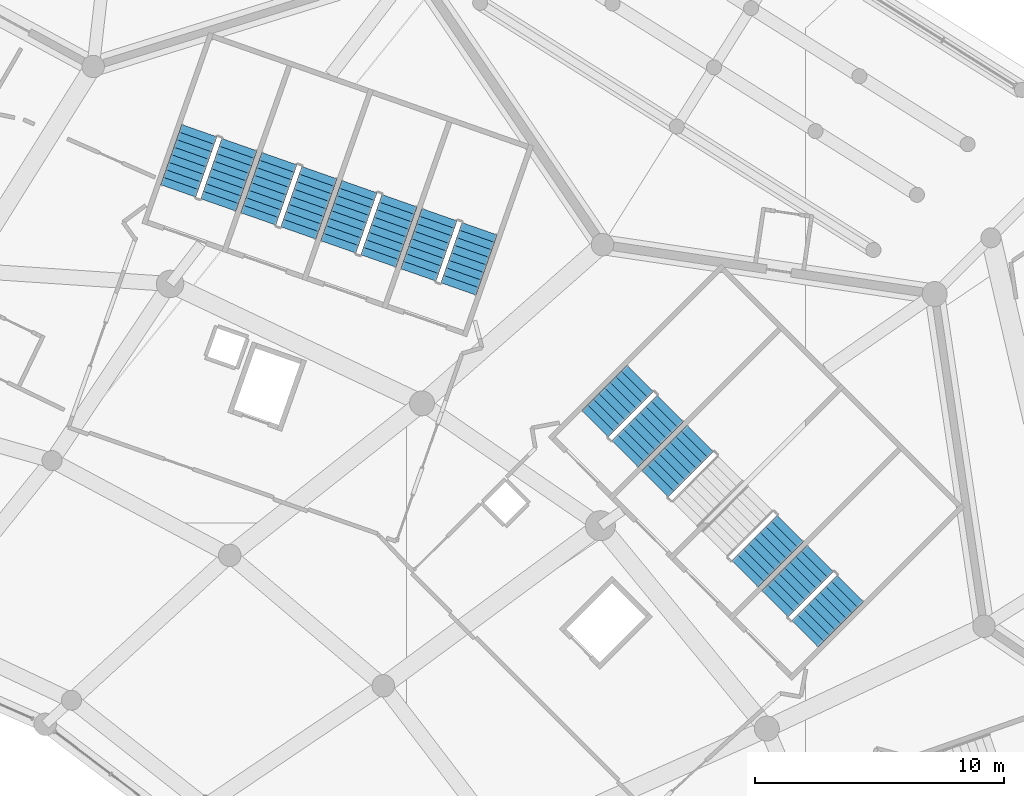
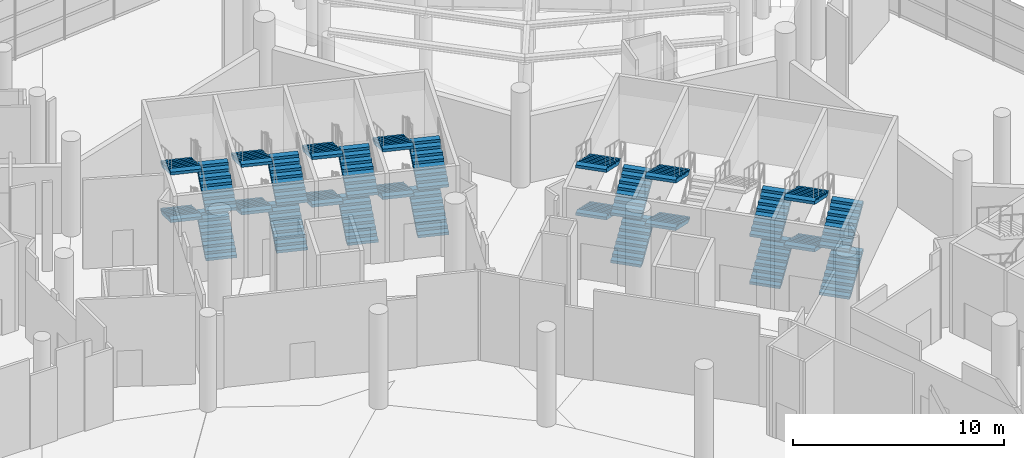
# One storey, part 220 of 271: 28 stair flights, 8 elements without a shape of their own.
"""IFC4 building model written with IfcOpenShell, lengths in metres."""

import ifcopenshell
import ifcopenshell.guid

model = None  # the IFC model being written
_history = None  # IfcOwnerHistory: only IFC2X3 demands one
_inside = {}  # id of a spatial element -> (the spatial element, [elements in it])
_under = {}  # id of a project, library or spatial element -> (it, [spatial elements below it])
_declared = {}  # id of a project -> (the project, [libraries it declares])
_typed = {}  # id of a type object -> (the type object, [elements of that type])
_made_of = {}  # id of a material, layer set ... -> (it, [elements and type objects made of it])


def new_model(schema):
    """Start an empty IFC model of exactly this schema.

    Asked for "IFC4X3", IfcOpenShell would pick the latest addendum, in which some entities
    have other attributes; the version numbers below select the first issue.
    IFC2X3 requires an IfcOwnerHistory on every rooted entity: one is made here for all.
    """
    global model, _history
    if schema == "IFC4X3":
        model = ifcopenshell.file(schema_version=(4, 3, 0, 0))
    else:
        model = ifcopenshell.file(schema=schema)
    _inside.clear()
    _under.clear()
    _declared.clear()
    _typed.clear()
    _made_of.clear()
    _history = None
    if model.schema == "IFC2X3":
        org = make("IfcOrganization", Name="unknown")
        user = make(
            "IfcPersonAndOrganization",
            ThePerson=make("IfcPerson", FamilyName="unknown"),
            TheOrganization=org,
        )
        app = make(
            "IfcApplication",
            ApplicationDeveloper=org,
            Version="unknown",
            ApplicationFullName="unknown",
            ApplicationIdentifier="unknown",
        )
        _history = make(
            "IfcOwnerHistory",
            OwningUser=user,
            OwningApplication=app,
            ChangeAction="ADDED",
            CreationDate=0,
        )
    return model


def make(cls, **values):
    """One entity of the class cls with the attributes given. An attribute that is None is left unset."""
    return model.create_entity(
        cls, **{name: value for name, value in values.items() if value is not None}
    )


def rooted(cls, **values):
    """An entity with a GlobalId (a new one), such as an element, a storey or a relation."""
    return make(cls, GlobalId=ifcopenshell.guid.new(), OwnerHistory=_history, **values)


def si_unit(unit_type, name, prefix=None):
    """IfcSIUnit, for example si_unit("LENGTHUNIT", "METRE", prefix="MILLI")."""
    return make("IfcSIUnit", UnitType=unit_type, Prefix=prefix, Name=name)


def assignment(units):
    """IfcUnitAssignment: the units of a project."""
    return None if units is None else make("IfcUnitAssignment", Units=units)


def point(xyz):
    """IfcCartesianPoint."""
    return None if xyz is None else make("IfcCartesianPoint", Coordinates=xyz)


def direction(xyz):
    """IfcDirection."""
    return None if xyz is None else make("IfcDirection", DirectionRatios=xyz)


def frame(location, z_axis=None, x_axis=None):
    """IfcAxis2Placement3D, a coordinate frame: its origin and axes. An axis left out is left unset."""
    return make(
        "IfcAxis2Placement3D",
        Location=point(location),
        Axis=direction(z_axis),
        RefDirection=direction(x_axis),
    )


def origin():
    """The frame at (0, 0, 0) with its axes left unset."""
    return frame((0.0, 0.0, 0.0))


def place(relative_to, where):
    """IfcLocalPlacement: puts the frame where relative to a parent placement (None: the world)."""
    return make(
        "IfcLocalPlacement", PlacementRelTo=relative_to, RelativePlacement=where
    )


def context(
    kind, dimensions, precision=None, world=None, true_north=None, identifier=None
):
    """IfcGeometricRepresentationContext, for example the 3D "Model" context."""
    return make(
        "IfcGeometricRepresentationContext",
        ContextIdentifier=identifier,
        ContextType=kind,
        CoordinateSpaceDimension=dimensions,
        Precision=precision,
        WorldCoordinateSystem=world,
        TrueNorth=true_north,
    )


def subcontext(parent, identifier, kind, view, scale=None):
    """IfcGeometricRepresentationSubContext, for example "Body" below "Model"."""
    return make(
        "IfcGeometricRepresentationSubContext",
        ContextIdentifier=identifier,
        ContextType=kind,
        ParentContext=parent,
        TargetScale=scale,
        TargetView=view,
    )


def project(units=None, contexts=None):
    """IfcProject with its units and contexts."""
    return rooted(
        "IfcProject",
        Name="project",
        RepresentationContexts=contexts,
        UnitsInContext=assignment(units),
    )


def spatial(cls, under=None, at=None, **own):
    """A site, building, storey or space (cls), placed at a placement, below another one or the project."""
    s = rooted(cls, ObjectPlacement=at, **own)
    if under is not None:
        _under.setdefault(under.id(), (under, []))[1].append(s)
    return s


def polyline(points):
    """IfcPolyline through the points."""
    return make("IfcPolyline", Points=[point(p) for p in points])


def outline(outer, holes=None, kind="AREA"):
    """IfcArbitraryClosedProfileDef: a profile drawn as a closed curve; with holes, ...WithVoids."""
    if holes is None:
        return make("IfcArbitraryClosedProfileDef", ProfileType=kind, OuterCurve=outer)
    return make(
        "IfcArbitraryProfileDefWithVoids",
        ProfileType=kind,
        OuterCurve=outer,
        InnerCurves=holes,
    )


def extrude(swept, where, along, depth):
    """IfcExtrudedAreaSolid: the profile swept, set in the frame where, extruded along a direction by depth."""
    return make(
        "IfcExtrudedAreaSolid",
        SweptArea=swept,
        Position=where,
        ExtrudedDirection=direction(along),
        Depth=depth,
    )


def shape(context_of_items, identifier, shape_type, items):
    """IfcShapeRepresentation: the items that make up one representation, for example the "Body"."""
    return make(
        "IfcShapeRepresentation",
        ContextOfItems=context_of_items,
        RepresentationIdentifier=identifier,
        RepresentationType=shape_type,
        Items=items,
    )


def material(Name=None, Category=None):
    """IfcMaterial."""
    return make("IfcMaterial", Name=Name, Category=Category)


def made_of(thing, what):
    """Note that an element or type object is made of a material, layer set ...; save() writes the relation."""
    if what is not None:
        _made_of.setdefault(what.id(), (what, []))[1].append(thing)
    return thing


def type_object(cls, material=None, **own):
    """A type object (cls), such as IfcWallType, which elements share."""
    return made_of(rooted(cls, **own), material)


def element(
    cls,
    number,
    at=None,
    inside=None,
    cuts=None,
    type_object=None,
    material=None,
    context=None,
    identifier="Body",
    shape_type=None,
    held_by="IfcProductDefinitionShape",
    body=None,
    shapes=None,
    **own,
):
    """One element of the class cls, such as IfcWall. Its Tag is "e" and its number.

    at: its placement. inside: the storey or other place that contains it. cuts: it is an
    opening in that element (IfcRelVoidsElement). A single representation is given by context,
    identifier, shape_type and body (its items); several are given by shapes. held_by: the class
    of the entity that holds the representations. save() writes the other relations.
    """
    e = rooted(cls, Tag="e%d" % number, ObjectPlacement=at, **own)
    if body is not None:
        shapes = [shape(context, identifier, shape_type, body)]
    if shapes is not None:
        e.Representation = make(held_by, Representations=shapes)
    if inside is not None:
        _inside.setdefault(inside.id(), (inside, []))[1].append(e)
    if cuts is not None:
        rooted(
            "IfcRelVoidsElement", RelatingBuildingElement=cuts, RelatedOpeningElement=e
        )
    if type_object is not None:
        _typed.setdefault(type_object.id(), (type_object, []))[1].append(e)
    return made_of(e, material)


def aggregate(whole, parts):
    """IfcRelAggregates: a whole, such as a stair, and the parts it consists of."""
    return rooted("IfcRelAggregates", RelatingObject=whole, RelatedObjects=parts)


def save(model, path):
    """Write the relations noted so far, then the file.

    IfcRelAggregates (storeys below a building ...), IfcRelContainedInSpatialStructure (elements
    in a storey), IfcRelDefinesByType, IfcRelAssociatesMaterial and IfcRelDeclares: one each for
    every whole, place, type object, material and project.
    """
    for whole, parts in _under.values():
        aggregate(whole, parts)
    for where, things in _inside.values():
        rooted(
            "IfcRelContainedInSpatialStructure",
            RelatedElements=things,
            RelatingStructure=where,
        )
    for kind, things in _typed.values():
        rooted("IfcRelDefinesByType", RelatedObjects=things, RelatingType=kind)
    for what, things in _made_of.values():
        rooted("IfcRelAssociatesMaterial", RelatedObjects=things, RelatingMaterial=what)
    for by, libraries in _declared.values():
        rooted("IfcRelDeclares", RelatingContext=by, RelatedDefinitions=libraries)
    model.write(path)


model = new_model("IFC4")

# Units and contexts
model_context = context("Model", 3, precision=1e-05, world=origin(), true_north=direction((0.0, 1.0)))
body_context = subcontext(model_context, "Body", "Model", "MODEL_VIEW")
ifc_project = project(units=[si_unit("LENGTHUNIT", "METRE"), si_unit("AREAUNIT", "SQUARE_METRE"), si_unit("VOLUMEUNIT", "CUBIC_METRE"), si_unit("PLANEANGLEUNIT", "RADIAN"), si_unit("MASSUNIT", "GRAM", prefix="KILO")], contexts=[model_context])

# Site, building, storey
site_placement = place(None, origin())
site = spatial("IfcSite", under=ifc_project, at=site_placement, CompositionType="ELEMENT")
building_placement = place(site_placement, origin())
building = spatial("IfcBuilding", under=site, at=building_placement, Name="Meseta Stadium", CompositionType="ELEMENT")
storey_placement = place(building_placement, frame((0.0, 0.0, 6.5)))
storey = spatial("IfcBuildingStorey", under=building, at=storey_placement, Name="L01", CompositionType="ELEMENT", Elevation=6.5)

# Stair, stair flights
ifc_material_1 = material(Name="Concrete C40/50", Category="concrete")
stair_type = type_object("IfcStairType", Name="Exit stair 4 flights 153 mm risers", PredefinedType="HALF_TURN_STAIR", material=ifc_material_1)
stair_1_placement = place(storey_placement, origin())
stair_1 = element("IfcStair", 1, at=stair_1_placement, inside=storey, type_object=stair_type, Name="ST25 L01", PredefinedType="HALF_TURN_STAIR")
ifc_material_2 = material(Name="Concrete C40/50", Category="concrete")
stair_flight_type = type_object("IfcStairFlightType", Name="Exit stair flight 153 mm risers, 4 per storey", PredefinedType="STRAIGHT", material=ifc_material_2)
stair_flight_1_placement = place(storey_placement, frame((79.9765625, 75.56201171875, 0.0), z_axis=(0.0, 0.0, 1.0), x_axis=(0.707106781187, 0.707106781187, 0.0)))
stair_flight_1 = element("IfcStairFlight", 2, at=stair_flight_1_placement, type_object=stair_flight_type, Name="ST25 L01 flight 1", NumberOfRisers=9, NumberOfTreads=8, PredefinedType="STRAIGHT", RiserHeight=0.152777778, TreadLength=0.32, context=body_context, shape_type="SweptSolid", body=[
    extrude(outline(polyline([(0.0, 0.0), (0.0, 0.15283203125), (0.320068359375, 0.15283203125), (0.320068359375, 0.3056640625), (0.639892578125, 0.3056640625), (0.639892578125, 0.458251953125), (0.9599609375, 0.458251953125), (0.9599609375, 0.611083984375), (1.280029296875, 0.611083984375), (1.280029296875, 0.763916015625), (1.60009765625, 0.763916015625), (1.60009765625, 0.916748046875), (1.919921875, 0.916748046875), (1.919921875, 1.0693359375), (2.239990234375, 1.0693359375), (2.239990234375, 1.22216796875), (2.56005859375, 1.22216796875), (2.56005859375, 1.05615234375), (0.347900390625, 0.0), (0.0, 0.0)])), frame((0.0, 0.75, 0.0), z_axis=(0.0, -1.0, 0.0), x_axis=(1.0, 0.0, 0.0)), (0.0, 0.0, 1.0), 1.5),
])
stair_flight_2_placement = place(storey_placement, frame((80.58447265625, 78.57421875, 1.375), z_axis=(0.0, 0.0, 1.0), x_axis=(-0.707106781187, -0.707106781187, 0.0)))
stair_flight_2 = element("IfcStairFlight", 3, at=stair_flight_2_placement, type_object=stair_flight_type, Name="ST25 L01 flight 2", NumberOfRisers=9, NumberOfTreads=8, PredefinedType="STRAIGHT", RiserHeight=0.152777778, TreadLength=0.32, context=body_context, shape_type="SweptSolid", body=[
    extrude(outline(polyline([(0.0, 0.0), (0.0, 0.15283203125), (0.320068359375, 0.15283203125), (0.320068359375, 0.3056640625), (0.639892578125, 0.3056640625), (0.639892578125, 0.458251953125), (0.9599609375, 0.458251953125), (0.9599609375, 0.611083984375), (1.280029296875, 0.611083984375), (1.280029296875, 0.763916015625), (1.60009765625, 0.763916015625), (1.60009765625, 0.916748046875), (1.919921875, 0.916748046875), (1.919921875, 1.0693359375), (2.239990234375, 1.0693359375), (2.239990234375, 1.22216796875), (2.56005859375, 1.22216796875), (2.56005859375, 1.05615234375), (0.347900390625, 0.0), (0.0, 0.0)])), frame((0.0, 0.75, 0.0), z_axis=(0.0, -1.0, 0.0), x_axis=(1.0, 0.0, 0.0)), (0.0, 0.0, 1.0), 1.5),
])
stair_flight_3_placement = place(storey_placement, frame((79.9765625, 75.56201171875, 2.75), z_axis=(0.0, 0.0, 1.0), x_axis=(0.707106781187, 0.707106781187, 0.0)))
stair_flight_3 = element("IfcStairFlight", 4, at=stair_flight_3_placement, type_object=stair_flight_type, Name="ST25 L01 flight 3", NumberOfRisers=9, NumberOfTreads=8, PredefinedType="STRAIGHT", RiserHeight=0.152777778, TreadLength=0.32, context=body_context, shape_type="SweptSolid", body=[
    extrude(outline(polyline([(0.0, 0.0), (0.0, 0.15283203125), (0.320068359375, 0.15283203125), (0.320068359375, 0.3056640625), (0.639892578125, 0.3056640625), (0.639892578125, 0.458251953125), (0.9599609375, 0.458251953125), (0.9599609375, 0.611083984375), (1.280029296875, 0.611083984375), (1.280029296875, 0.763916015625), (1.60009765625, 0.763916015625), (1.60009765625, 0.916748046875), (1.919921875, 0.916748046875), (1.919921875, 1.0693359375), (2.239990234375, 1.0693359375), (2.239990234375, 1.22216796875), (2.56005859375, 1.22216796875), (2.56005859375, 1.05615234375), (0.347900390625, 0.0), (0.0, 0.0)])), frame((0.0, 0.75, 0.0), z_axis=(0.0, -1.0, 0.0), x_axis=(1.0, 0.0, 0.0)), (0.0, 0.0, 1.0), 1.5),
])
stair_flight_4_placement = place(storey_placement, frame((80.58447265625, 78.57421875, 4.125), z_axis=(0.0, 0.0, 1.0), x_axis=(-0.707106781187, -0.707106781187, 0.0)))
stair_flight_4 = element("IfcStairFlight", 5, at=stair_flight_4_placement, type_object=stair_flight_type, Name="ST25 L01 flight 4", NumberOfRisers=9, NumberOfTreads=8, PredefinedType="STRAIGHT", RiserHeight=0.152777778, TreadLength=0.32, context=body_context, shape_type="SweptSolid", body=[
    extrude(outline(polyline([(0.0, 0.0), (0.0, 0.15283203125), (0.320068359375, 0.15283203125), (0.320068359375, 0.3056640625), (0.639892578125, 0.3056640625), (0.639892578125, 0.458251953125), (0.9599609375, 0.458251953125), (0.9599609375, 0.611083984375), (1.280029296875, 0.611083984375), (1.280029296875, 0.763916015625), (1.60009765625, 0.763916015625), (1.60009765625, 0.916748046875), (1.919921875, 0.916748046875), (1.919921875, 1.0693359375), (2.239990234375, 1.0693359375), (2.239990234375, 1.22216796875), (2.56005859375, 1.22216796875), (2.56005859375, 1.05615234375), (0.347900390625, 0.0), (0.0, 0.0)])), frame((0.0, 0.75, 0.0), z_axis=(0.0, -1.0, 0.0), x_axis=(1.0, 0.0, 0.0)), (0.0, 0.0, 1.0), 1.5),
])
aggregate(stair_1, [stair_flight_1, stair_flight_2, stair_flight_3, stair_flight_4])

stair_2_placement = place(storey_placement, origin())
stair_2 = element("IfcStair", 6, at=stair_2_placement, inside=storey, type_object=stair_type, Name="ST26 L01", PredefinedType="HALF_TURN_STAIR")
stair_flight_5_placement = place(storey_placement, frame((77.572265625, 77.966064453125, 0.0), z_axis=(0.0, 0.0, 1.0), x_axis=(0.707106781187, 0.707106781187, 0.0)))
stair_flight_5 = element("IfcStairFlight", 7, at=stair_flight_5_placement, type_object=stair_flight_type, Name="ST26 L01 flight 1", NumberOfRisers=9, NumberOfTreads=8, PredefinedType="STRAIGHT", RiserHeight=0.152777778, TreadLength=0.32, context=body_context, shape_type="SweptSolid", body=[
    extrude(outline(polyline([(0.0, 0.0), (0.0, 0.15283203125), (0.320068359375, 0.15283203125), (0.320068359375, 0.3056640625), (0.639892578125, 0.3056640625), (0.639892578125, 0.458251953125), (0.9599609375, 0.458251953125), (0.9599609375, 0.611083984375), (1.280029296875, 0.611083984375), (1.280029296875, 0.763916015625), (1.60009765625, 0.763916015625), (1.60009765625, 0.916748046875), (1.919921875, 0.916748046875), (1.919921875, 1.0693359375), (2.239990234375, 1.0693359375), (2.239990234375, 1.22216796875), (2.56005859375, 1.22216796875), (2.56005859375, 1.05615234375), (0.347900390625, 0.0), (0.0, 0.0)])), frame((0.0, 0.75, 0.0), z_axis=(0.0, -1.0, 0.0), x_axis=(1.0, 0.0, 0.0)), (0.0, 0.0, 1.0), 1.5),
])
stair_flight_6_placement = place(storey_placement, frame((77.572265625, 77.966064453125, 2.75), z_axis=(0.0, 0.0, 1.0), x_axis=(0.707106781187, 0.707106781187, 0.0)))
stair_flight_6 = element("IfcStairFlight", 8, at=stair_flight_6_placement, type_object=stair_flight_type, Name="ST26 L01 flight 3", NumberOfRisers=9, NumberOfTreads=8, PredefinedType="STRAIGHT", RiserHeight=0.152777778, TreadLength=0.32, context=body_context, shape_type="SweptSolid", body=[
    extrude(outline(polyline([(0.0, 0.0), (0.0, 0.15283203125), (0.320068359375, 0.15283203125), (0.320068359375, 0.3056640625), (0.639892578125, 0.3056640625), (0.639892578125, 0.458251953125), (0.9599609375, 0.458251953125), (0.9599609375, 0.611083984375), (1.280029296875, 0.611083984375), (1.280029296875, 0.763916015625), (1.60009765625, 0.763916015625), (1.60009765625, 0.916748046875), (1.919921875, 0.916748046875), (1.919921875, 1.0693359375), (2.239990234375, 1.0693359375), (2.239990234375, 1.22216796875), (2.56005859375, 1.22216796875), (2.56005859375, 1.05615234375), (0.347900390625, 0.0), (0.0, 0.0)])), frame((0.0, 0.75, 0.0), z_axis=(0.0, -1.0, 0.0), x_axis=(1.0, 0.0, 0.0)), (0.0, 0.0, 1.0), 1.5),
])
aggregate(stair_2, [stair_flight_5, stair_flight_6])

stair_3_placement = place(storey_placement, origin())
stair_3 = element("IfcStair", 9, at=stair_3_placement, inside=storey, type_object=stair_type, Name="ST27 L01", PredefinedType="HALF_TURN_STAIR")
stair_flight_7_placement = place(storey_placement, frame((75.7763671875, 83.382568359375, 1.375), z_axis=(0.0, 0.0, 1.0), x_axis=(-0.707106781187, -0.707106781187, 0.0)))
stair_flight_7 = element("IfcStairFlight", 10, at=stair_flight_7_placement, type_object=stair_flight_type, Name="ST27 L01 flight 2", NumberOfRisers=9, NumberOfTreads=8, PredefinedType="STRAIGHT", RiserHeight=0.152777778, TreadLength=0.32, context=body_context, shape_type="SweptSolid", body=[
    extrude(outline(polyline([(0.0, 0.0), (0.0, 0.15283203125), (0.320068359375, 0.15283203125), (0.320068359375, 0.3056640625), (0.639892578125, 0.3056640625), (0.639892578125, 0.458251953125), (0.9599609375, 0.458251953125), (0.9599609375, 0.611083984375), (1.280029296875, 0.611083984375), (1.280029296875, 0.763916015625), (1.60009765625, 0.763916015625), (1.60009765625, 0.916748046875), (1.919921875, 0.916748046875), (1.919921875, 1.0693359375), (2.239990234375, 1.0693359375), (2.239990234375, 1.22216796875), (2.56005859375, 1.22216796875), (2.56005859375, 1.05615234375), (0.347900390625, 0.0), (0.0, 0.0)])), frame((0.0, 0.75, 0.0), z_axis=(0.0, -1.0, 0.0), x_axis=(1.0, 0.0, 0.0)), (0.0, 0.0, 1.0), 1.5),
])
stair_flight_8_placement = place(storey_placement, frame((75.7763671875, 83.382568359375, 4.125), z_axis=(0.0, 0.0, 1.0), x_axis=(-0.707106781187, -0.707106781187, 0.0)))
stair_flight_8 = element("IfcStairFlight", 11, at=stair_flight_8_placement, type_object=stair_flight_type, Name="ST27 L01 flight 4", NumberOfRisers=9, NumberOfTreads=8, PredefinedType="STRAIGHT", RiserHeight=0.152777778, TreadLength=0.32, context=body_context, shape_type="SweptSolid", body=[
    extrude(outline(polyline([(0.0, 0.0), (0.0, 0.15283203125), (0.320068359375, 0.15283203125), (0.320068359375, 0.3056640625), (0.639892578125, 0.3056640625), (0.639892578125, 0.458251953125), (0.9599609375, 0.458251953125), (0.9599609375, 0.611083984375), (1.280029296875, 0.611083984375), (1.280029296875, 0.763916015625), (1.60009765625, 0.763916015625), (1.60009765625, 0.916748046875), (1.919921875, 0.916748046875), (1.919921875, 1.0693359375), (2.239990234375, 1.0693359375), (2.239990234375, 1.22216796875), (2.56005859375, 1.22216796875), (2.56005859375, 1.05615234375), (0.347900390625, 0.0), (0.0, 0.0)])), frame((0.0, 0.75, 0.0), z_axis=(0.0, -1.0, 0.0), x_axis=(1.0, 0.0, 0.0)), (0.0, 0.0, 1.0), 1.5),
])
aggregate(stair_3, [stair_flight_7, stair_flight_8])

stair_4_placement = place(storey_placement, origin())
stair_4 = element("IfcStair", 12, at=stair_4_placement, inside=storey, type_object=stair_type, Name="ST28 L01", PredefinedType="HALF_TURN_STAIR")
stair_flight_9_placement = place(storey_placement, frame((72.763916015625, 82.7744140625, 0.0), z_axis=(0.0, 0.0, 1.0), x_axis=(0.707106781187, 0.707106781187, 0.0)))
stair_flight_9 = element("IfcStairFlight", 13, at=stair_flight_9_placement, type_object=stair_flight_type, Name="ST28 L01 flight 1", NumberOfRisers=9, NumberOfTreads=8, PredefinedType="STRAIGHT", RiserHeight=0.152777778, TreadLength=0.32, context=body_context, shape_type="SweptSolid", body=[
    extrude(outline(polyline([(0.0, 0.0), (0.0, 0.15283203125), (0.320068359375, 0.15283203125), (0.320068359375, 0.3056640625), (0.639892578125, 0.3056640625), (0.639892578125, 0.458251953125), (0.9599609375, 0.458251953125), (0.9599609375, 0.611083984375), (1.280029296875, 0.611083984375), (1.280029296875, 0.763916015625), (1.60009765625, 0.763916015625), (1.60009765625, 0.916748046875), (1.919921875, 0.916748046875), (1.919921875, 1.0693359375), (2.239990234375, 1.0693359375), (2.239990234375, 1.22216796875), (2.56005859375, 1.22216796875), (2.56005859375, 1.05615234375), (0.347900390625, 0.0), (0.0, 0.0)])), frame((0.0, 0.75, 0.0), z_axis=(0.0, -1.0, 0.0), x_axis=(1.0, 0.0, 0.0)), (0.0, 0.0, 1.0), 1.5),
])
stair_flight_10_placement = place(storey_placement, frame((73.3720703125, 85.78662109375, 1.375), z_axis=(0.0, 0.0, 1.0), x_axis=(-0.707106781187, -0.707106781187, 0.0)))
stair_flight_10 = element("IfcStairFlight", 14, at=stair_flight_10_placement, type_object=stair_flight_type, Name="ST28 L01 flight 2", NumberOfRisers=9, NumberOfTreads=8, PredefinedType="STRAIGHT", RiserHeight=0.152777778, TreadLength=0.32, context=body_context, shape_type="SweptSolid", body=[
    extrude(outline(polyline([(0.0, 0.0), (0.0, 0.15283203125), (0.320068359375, 0.15283203125), (0.320068359375, 0.3056640625), (0.639892578125, 0.3056640625), (0.639892578125, 0.458251953125), (0.9599609375, 0.458251953125), (0.9599609375, 0.611083984375), (1.280029296875, 0.611083984375), (1.280029296875, 0.763916015625), (1.60009765625, 0.763916015625), (1.60009765625, 0.916748046875), (1.919921875, 0.916748046875), (1.919921875, 1.0693359375), (2.239990234375, 1.0693359375), (2.239990234375, 1.22216796875), (2.56005859375, 1.22216796875), (2.56005859375, 1.05615234375), (0.347900390625, 0.0), (0.0, 0.0)])), frame((0.0, 0.75, 0.0), z_axis=(0.0, -1.0, 0.0), x_axis=(1.0, 0.0, 0.0)), (0.0, 0.0, 1.0), 1.5),
])
stair_flight_11_placement = place(storey_placement, frame((72.763916015625, 82.7744140625, 2.75), z_axis=(0.0, 0.0, 1.0), x_axis=(0.707106781187, 0.707106781187, 0.0)))
stair_flight_11 = element("IfcStairFlight", 15, at=stair_flight_11_placement, type_object=stair_flight_type, Name="ST28 L01 flight 3", NumberOfRisers=9, NumberOfTreads=8, PredefinedType="STRAIGHT", RiserHeight=0.152777778, TreadLength=0.32, context=body_context, shape_type="SweptSolid", body=[
    extrude(outline(polyline([(0.0, 0.0), (0.0, 0.15283203125), (0.320068359375, 0.15283203125), (0.320068359375, 0.3056640625), (0.639892578125, 0.3056640625), (0.639892578125, 0.458251953125), (0.9599609375, 0.458251953125), (0.9599609375, 0.611083984375), (1.280029296875, 0.611083984375), (1.280029296875, 0.763916015625), (1.60009765625, 0.763916015625), (1.60009765625, 0.916748046875), (1.919921875, 0.916748046875), (1.919921875, 1.0693359375), (2.239990234375, 1.0693359375), (2.239990234375, 1.22216796875), (2.56005859375, 1.22216796875), (2.56005859375, 1.05615234375), (0.347900390625, 0.0), (0.0, 0.0)])), frame((0.0, 0.75, 0.0), z_axis=(0.0, -1.0, 0.0), x_axis=(1.0, 0.0, 0.0)), (0.0, 0.0, 1.0), 1.5),
])
stair_flight_12_placement = place(storey_placement, frame((73.3720703125, 85.78662109375, 4.125), z_axis=(0.0, 0.0, 1.0), x_axis=(-0.707106781187, -0.707106781187, 0.0)))
stair_flight_12 = element("IfcStairFlight", 16, at=stair_flight_12_placement, type_object=stair_flight_type, Name="ST28 L01 flight 4", NumberOfRisers=9, NumberOfTreads=8, PredefinedType="STRAIGHT", RiserHeight=0.152777778, TreadLength=0.32, context=body_context, shape_type="SweptSolid", body=[
    extrude(outline(polyline([(0.0, 0.0), (0.0, 0.15283203125), (0.320068359375, 0.15283203125), (0.320068359375, 0.3056640625), (0.639892578125, 0.3056640625), (0.639892578125, 0.458251953125), (0.9599609375, 0.458251953125), (0.9599609375, 0.611083984375), (1.280029296875, 0.611083984375), (1.280029296875, 0.763916015625), (1.60009765625, 0.763916015625), (1.60009765625, 0.916748046875), (1.919921875, 0.916748046875), (1.919921875, 1.0693359375), (2.239990234375, 1.0693359375), (2.239990234375, 1.22216796875), (2.56005859375, 1.22216796875), (2.56005859375, 1.05615234375), (0.347900390625, 0.0), (0.0, 0.0)])), frame((0.0, 0.75, 0.0), z_axis=(0.0, -1.0, 0.0), x_axis=(1.0, 0.0, 0.0)), (0.0, 0.0, 1.0), 1.5),
])
aggregate(stair_4, [stair_flight_9, stair_flight_10, stair_flight_11, stair_flight_12])

stair_5_placement = place(storey_placement, origin())
stair_5 = element("IfcStair", 17, at=stair_5_placement, inside=storey, type_object=stair_type, Name="ST29 L01", PredefinedType="HALF_TURN_STAIR")
stair_flight_13_placement = place(storey_placement, frame((66.082275390625, 89.376953125, 0.0), z_axis=(0.0, 0.0, 1.0), x_axis=(0.330279057248, 0.943883331955, 0.0)))
stair_flight_13 = element("IfcStairFlight", 18, at=stair_flight_13_placement, type_object=stair_flight_type, Name="ST29 L01 flight 1", NumberOfRisers=9, NumberOfTreads=8, PredefinedType="STRAIGHT", RiserHeight=0.152777778, TreadLength=0.32, context=body_context, shape_type="SweptSolid", body=[
    extrude(outline(polyline([(0.0, 0.0), (0.0, 0.15283203125), (0.320068359375, 0.15283203125), (0.320068359375, 0.3056640625), (0.639892578125, 0.3056640625), (0.639892578125, 0.458251953125), (0.9599609375, 0.458251953125), (0.9599609375, 0.611083984375), (1.280029296875, 0.611083984375), (1.280029296875, 0.763916015625), (1.60009765625, 0.763916015625), (1.60009765625, 0.916748046875), (1.919921875, 0.916748046875), (1.919921875, 1.0693359375), (2.239990234375, 1.0693359375), (2.239990234375, 1.22216796875), (2.56005859375, 1.22216796875), (2.56005859375, 1.05615234375), (0.347900390625, 0.0), (0.0, 0.0)])), frame((0.0, 0.75, 0.0), z_axis=(0.0, -1.0, 0.0), x_axis=(1.0, 0.0, 0.0)), (0.0, 0.0, 1.0), 1.5),
])
stair_flight_14_placement = place(storey_placement, frame((65.3232421875, 92.354736328125, 1.375), z_axis=(0.0, 0.0, 1.0), x_axis=(-0.330279057248, -0.943883331955, 0.0)))
stair_flight_14 = element("IfcStairFlight", 19, at=stair_flight_14_placement, type_object=stair_flight_type, Name="ST29 L01 flight 2", NumberOfRisers=9, NumberOfTreads=8, PredefinedType="STRAIGHT", RiserHeight=0.152777778, TreadLength=0.32, context=body_context, shape_type="SweptSolid", body=[
    extrude(outline(polyline([(0.0, 0.0), (0.0, 0.15283203125), (0.320068359375, 0.15283203125), (0.320068359375, 0.3056640625), (0.639892578125, 0.3056640625), (0.639892578125, 0.458251953125), (0.9599609375, 0.458251953125), (0.9599609375, 0.611083984375), (1.280029296875, 0.611083984375), (1.280029296875, 0.763916015625), (1.60009765625, 0.763916015625), (1.60009765625, 0.916748046875), (1.919921875, 0.916748046875), (1.919921875, 1.0693359375), (2.239990234375, 1.0693359375), (2.239990234375, 1.22216796875), (2.56005859375, 1.22216796875), (2.56005859375, 1.05615234375), (0.347900390625, 0.0), (0.0, 0.0)])), frame((0.0, 0.75, 0.0), z_axis=(0.0, -1.0, 0.0), x_axis=(1.0, 0.0, 0.0)), (0.0, 0.0, 1.0), 1.5),
])
stair_flight_15_placement = place(storey_placement, frame((66.082275390625, 89.376953125, 2.75), z_axis=(0.0, 0.0, 1.0), x_axis=(0.330279057248, 0.943883331955, 0.0)))
stair_flight_15 = element("IfcStairFlight", 20, at=stair_flight_15_placement, type_object=stair_flight_type, Name="ST29 L01 flight 3", NumberOfRisers=9, NumberOfTreads=8, PredefinedType="STRAIGHT", RiserHeight=0.152777778, TreadLength=0.32, context=body_context, shape_type="SweptSolid", body=[
    extrude(outline(polyline([(0.0, 0.0), (0.0, 0.15283203125), (0.320068359375, 0.15283203125), (0.320068359375, 0.3056640625), (0.639892578125, 0.3056640625), (0.639892578125, 0.458251953125), (0.9599609375, 0.458251953125), (0.9599609375, 0.611083984375), (1.280029296875, 0.611083984375), (1.280029296875, 0.763916015625), (1.60009765625, 0.763916015625), (1.60009765625, 0.916748046875), (1.919921875, 0.916748046875), (1.919921875, 1.0693359375), (2.239990234375, 1.0693359375), (2.239990234375, 1.22216796875), (2.56005859375, 1.22216796875), (2.56005859375, 1.05615234375), (0.347900390625, 0.0), (0.0, 0.0)])), frame((0.0, 0.75, 0.0), z_axis=(0.0, -1.0, 0.0), x_axis=(1.0, 0.0, 0.0)), (0.0, 0.0, 1.0), 1.5),
])
stair_flight_16_placement = place(storey_placement, frame((65.3232421875, 92.354736328125, 4.125), z_axis=(0.0, 0.0, 1.0), x_axis=(-0.330279057248, -0.943883331955, 0.0)))
stair_flight_16 = element("IfcStairFlight", 21, at=stair_flight_16_placement, type_object=stair_flight_type, Name="ST29 L01 flight 4", NumberOfRisers=9, NumberOfTreads=8, PredefinedType="STRAIGHT", RiserHeight=0.152777778, TreadLength=0.32, context=body_context, shape_type="SweptSolid", body=[
    extrude(outline(polyline([(0.0, 0.0), (0.0, 0.15283203125), (0.320068359375, 0.15283203125), (0.320068359375, 0.3056640625), (0.639892578125, 0.3056640625), (0.639892578125, 0.458251953125), (0.9599609375, 0.458251953125), (0.9599609375, 0.611083984375), (1.280029296875, 0.611083984375), (1.280029296875, 0.763916015625), (1.60009765625, 0.763916015625), (1.60009765625, 0.916748046875), (1.919921875, 0.916748046875), (1.919921875, 1.0693359375), (2.239990234375, 1.0693359375), (2.239990234375, 1.22216796875), (2.56005859375, 1.22216796875), (2.56005859375, 1.05615234375), (0.347900390625, 0.0), (0.0, 0.0)])), frame((0.0, 0.75, 0.0), z_axis=(0.0, -1.0, 0.0), x_axis=(1.0, 0.0, 0.0)), (0.0, 0.0, 1.0), 1.5),
])
aggregate(stair_5, [stair_flight_13, stair_flight_14, stair_flight_15, stair_flight_16])

stair_6_placement = place(storey_placement, origin())
stair_6 = element("IfcStair", 22, at=stair_6_placement, inside=storey, type_object=stair_type, Name="ST30 L01", PredefinedType="HALF_TURN_STAIR")
stair_flight_17_placement = place(storey_placement, frame((62.873046875, 90.5, 0.0), z_axis=(0.0, 0.0, 1.0), x_axis=(0.330279057248, 0.943883331955, 0.0)))
stair_flight_17 = element("IfcStairFlight", 23, at=stair_flight_17_placement, type_object=stair_flight_type, Name="ST30 L01 flight 1", NumberOfRisers=9, NumberOfTreads=8, PredefinedType="STRAIGHT", RiserHeight=0.152777778, TreadLength=0.32, context=body_context, shape_type="SweptSolid", body=[
    extrude(outline(polyline([(0.0, 0.0), (0.0, 0.15283203125), (0.320068359375, 0.15283203125), (0.320068359375, 0.3056640625), (0.639892578125, 0.3056640625), (0.639892578125, 0.458251953125), (0.9599609375, 0.458251953125), (0.9599609375, 0.611083984375), (1.280029296875, 0.611083984375), (1.280029296875, 0.763916015625), (1.60009765625, 0.763916015625), (1.60009765625, 0.916748046875), (1.919921875, 0.916748046875), (1.919921875, 1.0693359375), (2.239990234375, 1.0693359375), (2.239990234375, 1.22216796875), (2.56005859375, 1.22216796875), (2.56005859375, 1.05615234375), (0.347900390625, 0.0), (0.0, 0.0)])), frame((0.0, 0.75, 0.0), z_axis=(0.0, -1.0, 0.0), x_axis=(1.0, 0.0, 0.0)), (0.0, 0.0, 1.0), 1.5),
])
stair_flight_18_placement = place(storey_placement, frame((62.114013671875, 93.477783203125, 1.375), z_axis=(0.0, 0.0, 1.0), x_axis=(-0.330279057248, -0.943883331955, 0.0)))
stair_flight_18 = element("IfcStairFlight", 24, at=stair_flight_18_placement, type_object=stair_flight_type, Name="ST30 L01 flight 2", NumberOfRisers=9, NumberOfTreads=8, PredefinedType="STRAIGHT", RiserHeight=0.152777778, TreadLength=0.32, context=body_context, shape_type="SweptSolid", body=[
    extrude(outline(polyline([(0.0, 0.0), (0.0, 0.15283203125), (0.320068359375, 0.15283203125), (0.320068359375, 0.3056640625), (0.639892578125, 0.3056640625), (0.639892578125, 0.458251953125), (0.9599609375, 0.458251953125), (0.9599609375, 0.611083984375), (1.280029296875, 0.611083984375), (1.280029296875, 0.763916015625), (1.60009765625, 0.763916015625), (1.60009765625, 0.916748046875), (1.919921875, 0.916748046875), (1.919921875, 1.0693359375), (2.239990234375, 1.0693359375), (2.239990234375, 1.22216796875), (2.56005859375, 1.22216796875), (2.56005859375, 1.05615234375), (0.347900390625, 0.0), (0.0, 0.0)])), frame((0.0, 0.75, 0.0), z_axis=(0.0, -1.0, 0.0), x_axis=(1.0, 0.0, 0.0)), (0.0, 0.0, 1.0), 1.5),
])
stair_flight_19_placement = place(storey_placement, frame((62.873046875, 90.5, 2.75), z_axis=(0.0, 0.0, 1.0), x_axis=(0.330279057248, 0.943883331955, 0.0)))
stair_flight_19 = element("IfcStairFlight", 25, at=stair_flight_19_placement, type_object=stair_flight_type, Name="ST30 L01 flight 3", NumberOfRisers=9, NumberOfTreads=8, PredefinedType="STRAIGHT", RiserHeight=0.152777778, TreadLength=0.32, context=body_context, shape_type="SweptSolid", body=[
    extrude(outline(polyline([(0.0, 0.0), (0.0, 0.15283203125), (0.320068359375, 0.15283203125), (0.320068359375, 0.3056640625), (0.639892578125, 0.3056640625), (0.639892578125, 0.458251953125), (0.9599609375, 0.458251953125), (0.9599609375, 0.611083984375), (1.280029296875, 0.611083984375), (1.280029296875, 0.763916015625), (1.60009765625, 0.763916015625), (1.60009765625, 0.916748046875), (1.919921875, 0.916748046875), (1.919921875, 1.0693359375), (2.239990234375, 1.0693359375), (2.239990234375, 1.22216796875), (2.56005859375, 1.22216796875), (2.56005859375, 1.05615234375), (0.347900390625, 0.0), (0.0, 0.0)])), frame((0.0, 0.75, 0.0), z_axis=(0.0, -1.0, 0.0), x_axis=(1.0, 0.0, 0.0)), (0.0, 0.0, 1.0), 1.5),
])
stair_flight_20_placement = place(storey_placement, frame((62.114013671875, 93.477783203125, 4.125), z_axis=(0.0, 0.0, 1.0), x_axis=(-0.330279057248, -0.943883331955, 0.0)))
stair_flight_20 = element("IfcStairFlight", 26, at=stair_flight_20_placement, type_object=stair_flight_type, Name="ST30 L01 flight 4", NumberOfRisers=9, NumberOfTreads=8, PredefinedType="STRAIGHT", RiserHeight=0.152777778, TreadLength=0.32, context=body_context, shape_type="SweptSolid", body=[
    extrude(outline(polyline([(0.0, 0.0), (0.0, 0.15283203125), (0.320068359375, 0.15283203125), (0.320068359375, 0.3056640625), (0.639892578125, 0.3056640625), (0.639892578125, 0.458251953125), (0.9599609375, 0.458251953125), (0.9599609375, 0.611083984375), (1.280029296875, 0.611083984375), (1.280029296875, 0.763916015625), (1.60009765625, 0.763916015625), (1.60009765625, 0.916748046875), (1.919921875, 0.916748046875), (1.919921875, 1.0693359375), (2.239990234375, 1.0693359375), (2.239990234375, 1.22216796875), (2.56005859375, 1.22216796875), (2.56005859375, 1.05615234375), (0.347900390625, 0.0), (0.0, 0.0)])), frame((0.0, 0.75, 0.0), z_axis=(0.0, -1.0, 0.0), x_axis=(1.0, 0.0, 0.0)), (0.0, 0.0, 1.0), 1.5),
])
aggregate(stair_6, [stair_flight_17, stair_flight_18, stair_flight_19, stair_flight_20])

stair_7_placement = place(storey_placement, origin())
stair_7 = element("IfcStair", 27, at=stair_7_placement, inside=storey, type_object=stair_type, Name="ST31 L01", PredefinedType="HALF_TURN_STAIR")
stair_flight_21_placement = place(storey_placement, frame((59.663818359375, 91.622802734375, 0.0), z_axis=(0.0, 0.0, 1.0), x_axis=(0.330279057248, 0.943883331955, 0.0)))
stair_flight_21 = element("IfcStairFlight", 28, at=stair_flight_21_placement, type_object=stair_flight_type, Name="ST31 L01 flight 1", NumberOfRisers=9, NumberOfTreads=8, PredefinedType="STRAIGHT", RiserHeight=0.152777778, TreadLength=0.32, context=body_context, shape_type="SweptSolid", body=[
    extrude(outline(polyline([(0.0, 0.0), (0.0, 0.15283203125), (0.320068359375, 0.15283203125), (0.320068359375, 0.3056640625), (0.639892578125, 0.3056640625), (0.639892578125, 0.458251953125), (0.9599609375, 0.458251953125), (0.9599609375, 0.611083984375), (1.280029296875, 0.611083984375), (1.280029296875, 0.763916015625), (1.60009765625, 0.763916015625), (1.60009765625, 0.916748046875), (1.919921875, 0.916748046875), (1.919921875, 1.0693359375), (2.239990234375, 1.0693359375), (2.239990234375, 1.22216796875), (2.56005859375, 1.22216796875), (2.56005859375, 1.05615234375), (0.347900390625, 0.0), (0.0, 0.0)])), frame((0.0, 0.75, 0.0), z_axis=(0.0, -1.0, 0.0), x_axis=(1.0, 0.0, 0.0)), (0.0, 0.0, 1.0), 1.5),
])
stair_flight_22_placement = place(storey_placement, frame((58.90478515625, 94.6005859375, 1.375), z_axis=(0.0, 0.0, 1.0), x_axis=(-0.330279057248, -0.943883331955, 0.0)))
stair_flight_22 = element("IfcStairFlight", 29, at=stair_flight_22_placement, type_object=stair_flight_type, Name="ST31 L01 flight 2", NumberOfRisers=9, NumberOfTreads=8, PredefinedType="STRAIGHT", RiserHeight=0.152777778, TreadLength=0.32, context=body_context, shape_type="SweptSolid", body=[
    extrude(outline(polyline([(0.0, 0.0), (0.0, 0.15283203125), (0.320068359375, 0.15283203125), (0.320068359375, 0.3056640625), (0.639892578125, 0.3056640625), (0.639892578125, 0.458251953125), (0.9599609375, 0.458251953125), (0.9599609375, 0.611083984375), (1.280029296875, 0.611083984375), (1.280029296875, 0.763916015625), (1.60009765625, 0.763916015625), (1.60009765625, 0.916748046875), (1.919921875, 0.916748046875), (1.919921875, 1.0693359375), (2.239990234375, 1.0693359375), (2.239990234375, 1.22216796875), (2.56005859375, 1.22216796875), (2.56005859375, 1.05615234375), (0.347900390625, 0.0), (0.0, 0.0)])), frame((0.0, 0.75, 0.0), z_axis=(0.0, -1.0, 0.0), x_axis=(1.0, 0.0, 0.0)), (0.0, 0.0, 1.0), 1.5),
])
stair_flight_23_placement = place(storey_placement, frame((59.663818359375, 91.622802734375, 2.75), z_axis=(0.0, 0.0, 1.0), x_axis=(0.330279057248, 0.943883331955, 0.0)))
stair_flight_23 = element("IfcStairFlight", 30, at=stair_flight_23_placement, type_object=stair_flight_type, Name="ST31 L01 flight 3", NumberOfRisers=9, NumberOfTreads=8, PredefinedType="STRAIGHT", RiserHeight=0.152777778, TreadLength=0.32, context=body_context, shape_type="SweptSolid", body=[
    extrude(outline(polyline([(0.0, 0.0), (0.0, 0.15283203125), (0.320068359375, 0.15283203125), (0.320068359375, 0.3056640625), (0.639892578125, 0.3056640625), (0.639892578125, 0.458251953125), (0.9599609375, 0.458251953125), (0.9599609375, 0.611083984375), (1.280029296875, 0.611083984375), (1.280029296875, 0.763916015625), (1.60009765625, 0.763916015625), (1.60009765625, 0.916748046875), (1.919921875, 0.916748046875), (1.919921875, 1.0693359375), (2.239990234375, 1.0693359375), (2.239990234375, 1.22216796875), (2.56005859375, 1.22216796875), (2.56005859375, 1.05615234375), (0.347900390625, 0.0), (0.0, 0.0)])), frame((0.0, 0.75, 0.0), z_axis=(0.0, -1.0, 0.0), x_axis=(1.0, 0.0, 0.0)), (0.0, 0.0, 1.0), 1.5),
])
stair_flight_24_placement = place(storey_placement, frame((58.90478515625, 94.6005859375, 4.125), z_axis=(0.0, 0.0, 1.0), x_axis=(-0.330279057248, -0.943883331955, 0.0)))
stair_flight_24 = element("IfcStairFlight", 31, at=stair_flight_24_placement, type_object=stair_flight_type, Name="ST31 L01 flight 4", NumberOfRisers=9, NumberOfTreads=8, PredefinedType="STRAIGHT", RiserHeight=0.152777778, TreadLength=0.32, context=body_context, shape_type="SweptSolid", body=[
    extrude(outline(polyline([(0.0, 0.0), (0.0, 0.15283203125), (0.320068359375, 0.15283203125), (0.320068359375, 0.3056640625), (0.639892578125, 0.3056640625), (0.639892578125, 0.458251953125), (0.9599609375, 0.458251953125), (0.9599609375, 0.611083984375), (1.280029296875, 0.611083984375), (1.280029296875, 0.763916015625), (1.60009765625, 0.763916015625), (1.60009765625, 0.916748046875), (1.919921875, 0.916748046875), (1.919921875, 1.0693359375), (2.239990234375, 1.0693359375), (2.239990234375, 1.22216796875), (2.56005859375, 1.22216796875), (2.56005859375, 1.05615234375), (0.347900390625, 0.0), (0.0, 0.0)])), frame((0.0, 0.75, 0.0), z_axis=(0.0, -1.0, 0.0), x_axis=(1.0, 0.0, 0.0)), (0.0, 0.0, 1.0), 1.5),
])
aggregate(stair_7, [stair_flight_21, stair_flight_22, stair_flight_23, stair_flight_24])

stair_8_placement = place(storey_placement, origin())
stair_8 = element("IfcStair", 32, at=stair_8_placement, inside=storey, type_object=stair_type, Name="ST32 L01", PredefinedType="HALF_TURN_STAIR")
stair_flight_25_placement = place(storey_placement, frame((56.454833984375, 92.745849609375, 0.0), z_axis=(0.0, 0.0, 1.0), x_axis=(0.330279057248, 0.943883331955, 0.0)))
stair_flight_25 = element("IfcStairFlight", 33, at=stair_flight_25_placement, type_object=stair_flight_type, Name="ST32 L01 flight 1", NumberOfRisers=9, NumberOfTreads=8, PredefinedType="STRAIGHT", RiserHeight=0.152777778, TreadLength=0.32, context=body_context, shape_type="SweptSolid", body=[
    extrude(outline(polyline([(0.0, 0.0), (0.0, 0.15283203125), (0.320068359375, 0.15283203125), (0.320068359375, 0.3056640625), (0.639892578125, 0.3056640625), (0.639892578125, 0.458251953125), (0.9599609375, 0.458251953125), (0.9599609375, 0.611083984375), (1.280029296875, 0.611083984375), (1.280029296875, 0.763916015625), (1.60009765625, 0.763916015625), (1.60009765625, 0.916748046875), (1.919921875, 0.916748046875), (1.919921875, 1.0693359375), (2.239990234375, 1.0693359375), (2.239990234375, 1.22216796875), (2.56005859375, 1.22216796875), (2.56005859375, 1.05615234375), (0.347900390625, 0.0), (0.0, 0.0)])), frame((0.0, 0.75, 0.0), z_axis=(0.0, -1.0, 0.0), x_axis=(1.0, 0.0, 0.0)), (0.0, 0.0, 1.0), 1.5),
])
stair_flight_26_placement = place(storey_placement, frame((55.695556640625, 95.7236328125, 1.375), z_axis=(0.0, 0.0, 1.0), x_axis=(-0.330279057248, -0.943883331955, 0.0)))
stair_flight_26 = element("IfcStairFlight", 34, at=stair_flight_26_placement, type_object=stair_flight_type, Name="ST32 L01 flight 2", NumberOfRisers=9, NumberOfTreads=8, PredefinedType="STRAIGHT", RiserHeight=0.152777778, TreadLength=0.32, context=body_context, shape_type="SweptSolid", body=[
    extrude(outline(polyline([(0.0, 0.0), (0.0, 0.15283203125), (0.320068359375, 0.15283203125), (0.320068359375, 0.3056640625), (0.639892578125, 0.3056640625), (0.639892578125, 0.458251953125), (0.9599609375, 0.458251953125), (0.9599609375, 0.611083984375), (1.280029296875, 0.611083984375), (1.280029296875, 0.763916015625), (1.60009765625, 0.763916015625), (1.60009765625, 0.916748046875), (1.919921875, 0.916748046875), (1.919921875, 1.0693359375), (2.239990234375, 1.0693359375), (2.239990234375, 1.22216796875), (2.56005859375, 1.22216796875), (2.56005859375, 1.05615234375), (0.347900390625, 0.0), (0.0, 0.0)])), frame((0.0, 0.75, 0.0), z_axis=(0.0, -1.0, 0.0), x_axis=(1.0, 0.0, 0.0)), (0.0, 0.0, 1.0), 1.5),
])
stair_flight_27_placement = place(storey_placement, frame((56.454833984375, 92.745849609375, 2.75), z_axis=(0.0, 0.0, 1.0), x_axis=(0.330279057248, 0.943883331955, 0.0)))
stair_flight_27 = element("IfcStairFlight", 35, at=stair_flight_27_placement, type_object=stair_flight_type, Name="ST32 L01 flight 3", NumberOfRisers=9, NumberOfTreads=8, PredefinedType="STRAIGHT", RiserHeight=0.152777778, TreadLength=0.32, context=body_context, shape_type="SweptSolid", body=[
    extrude(outline(polyline([(0.0, 0.0), (0.0, 0.15283203125), (0.320068359375, 0.15283203125), (0.320068359375, 0.3056640625), (0.639892578125, 0.3056640625), (0.639892578125, 0.458251953125), (0.9599609375, 0.458251953125), (0.9599609375, 0.611083984375), (1.280029296875, 0.611083984375), (1.280029296875, 0.763916015625), (1.60009765625, 0.763916015625), (1.60009765625, 0.916748046875), (1.919921875, 0.916748046875), (1.919921875, 1.0693359375), (2.239990234375, 1.0693359375), (2.239990234375, 1.22216796875), (2.56005859375, 1.22216796875), (2.56005859375, 1.05615234375), (0.347900390625, 0.0), (0.0, 0.0)])), frame((0.0, 0.75, 0.0), z_axis=(0.0, -1.0, 0.0), x_axis=(1.0, 0.0, 0.0)), (0.0, 0.0, 1.0), 1.5),
])
stair_flight_28_placement = place(storey_placement, frame((55.695556640625, 95.7236328125, 4.125), z_axis=(0.0, 0.0, 1.0), x_axis=(-0.330279057248, -0.943883331955, 0.0)))
stair_flight_28 = element("IfcStairFlight", 36, at=stair_flight_28_placement, type_object=stair_flight_type, Name="ST32 L01 flight 4", NumberOfRisers=9, NumberOfTreads=8, PredefinedType="STRAIGHT", RiserHeight=0.152777778, TreadLength=0.32, context=body_context, shape_type="SweptSolid", body=[
    extrude(outline(polyline([(0.0, 0.0), (0.0, 0.15283203125), (0.320068359375, 0.15283203125), (0.320068359375, 0.3056640625), (0.639892578125, 0.3056640625), (0.639892578125, 0.458251953125), (0.9599609375, 0.458251953125), (0.9599609375, 0.611083984375), (1.280029296875, 0.611083984375), (1.280029296875, 0.763916015625), (1.60009765625, 0.763916015625), (1.60009765625, 0.916748046875), (1.919921875, 0.916748046875), (1.919921875, 1.0693359375), (2.239990234375, 1.0693359375), (2.239990234375, 1.22216796875), (2.56005859375, 1.22216796875), (2.56005859375, 1.05615234375), (0.347900390625, 0.0), (0.0, 0.0)])), frame((0.0, 0.75, 0.0), z_axis=(0.0, -1.0, 0.0), x_axis=(1.0, 0.0, 0.0)), (0.0, 0.0, 1.0), 1.5),
])
aggregate(stair_8, [stair_flight_25, stair_flight_26, stair_flight_27, stair_flight_28])

save(model, "model.ifc")
